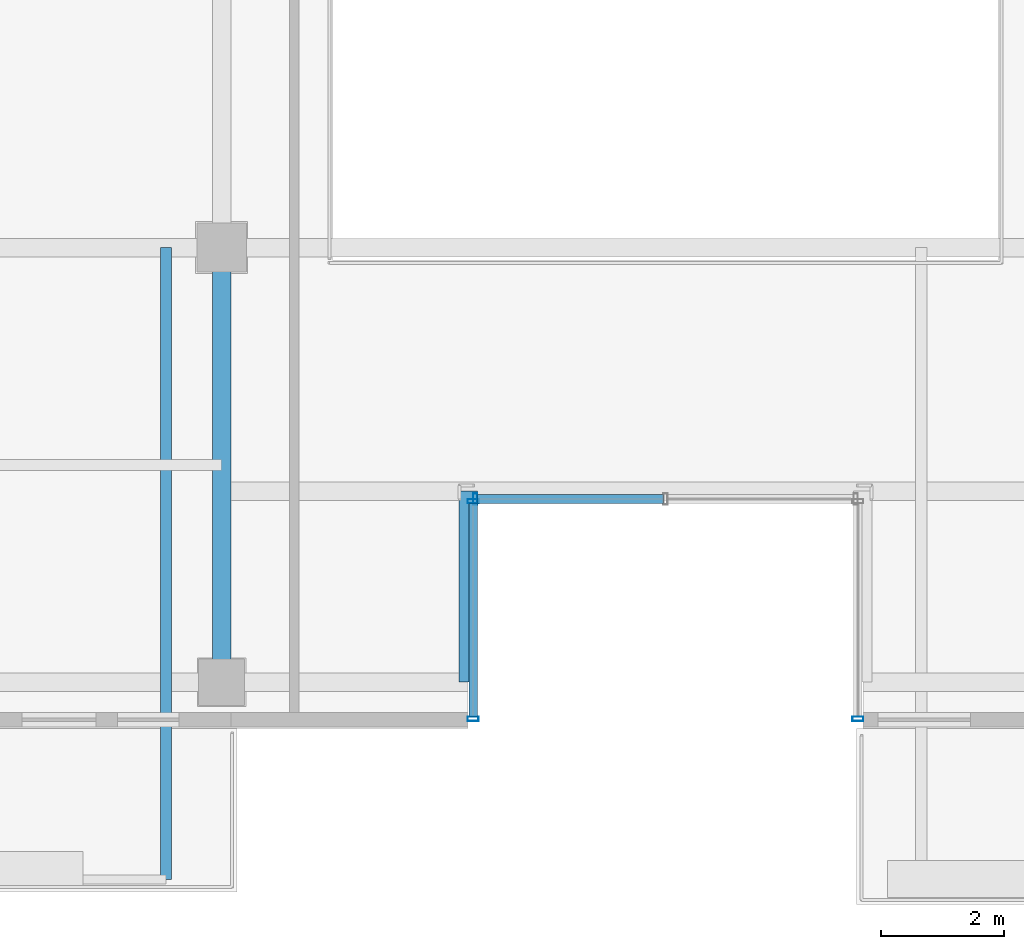
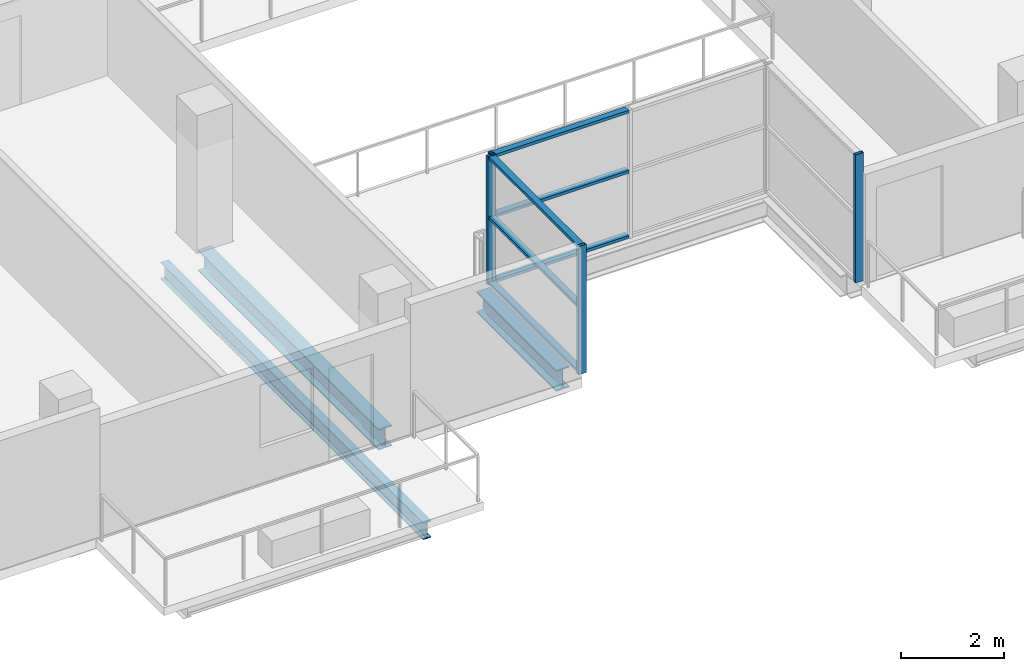
# One storey, part 2 of 23: 10 members, 3 beams, 3 elements without a shape of their own.
"""IFC4 building model written with IfcOpenShell, lengths in metres."""

from ifc_helpers import new_model, si_unit, direction, frame, origin, origin_2d, place, context, subcontext, project, spatial, hollow_rectangle, i_section, extrude, source, transform, mapped, material, layer, layer_set, material_profile, profile_set, type_object, element, aggregate, save


model = new_model("IFC4")

# Units and contexts
model_context = context("Model", 3, precision=1e-05, world=origin(), true_north=direction((0.0, 1.0)))
body_context = subcontext(model_context, "Body", "Model", "MODEL_VIEW")
ifc_project = project(units=[si_unit("LENGTHUNIT", "METRE"), si_unit("AREAUNIT", "SQUARE_METRE"), si_unit("VOLUMEUNIT", "CUBIC_METRE"), si_unit("PLANEANGLEUNIT", "RADIAN"), si_unit("MASSUNIT", "GRAM", prefix="KILO")], contexts=[model_context])

# Site, building, storey
site_placement = place(None, origin())
site = spatial("IfcSite", under=ifc_project, at=site_placement, CompositionType="ELEMENT")
building_placement = place(site_placement, origin())
building = spatial("IfcBuilding", under=site, at=building_placement, Name="Zarnakvel Exchange Tower", CompositionType="ELEMENT")
storey_placement = place(building_placement, frame((0.0, 0.0, 172.60009765625)))
storey = spatial("IfcBuildingStorey", under=building, at=storey_placement, Name="L48", CompositionType="ELEMENT", Elevation=172.60009765625)

# Beams
ifc_material_1 = material(Name="Steel S355", Category="steel")
ifc_material_profile_1 = material_profile(ifc_material_1, i_section(OverallWidth=0.179931640625, OverallDepth=0.39990234375, WebThickness=0.008544921875, FlangeThickness=0.013427734375, FilletRadius=0.02099609375, at=origin_2d()))
ifc_profile_set_1 = profile_set([ifc_material_profile_1], Name="Steel S355")
beam_type_1 = type_object("IfcBeamType", Name="B-06", PredefinedType="JOIST", material=ifc_profile_set_1)
beam_1_placement = place(storey_placement, frame((-8.10009765625, -9.60009765625, -0.425048828125), z_axis=(0.0, -1.0, 0.0), x_axis=(1.0, 0.0, 0.0)))
element("IfcBeam", 1, at=beam_1_placement, inside=storey, type_object=beam_type_1, Name="L48 Continuous Back-Spanned Balcony Beam E", PredefinedType="JOIST", context=body_context, shape_type="SweptSolid", body=[
    extrude(i_section(OverallWidth=0.179931640625, OverallDepth=0.39990234375, WebThickness=0.008544921875, FlangeThickness=0.013427734375, FilletRadius=0.02099609375, at=origin_2d()), origin(), (0.0, 0.0, 1.0), 10.25),
])
ifc_material_profile_2 = material_profile(ifc_material_1, i_section(OverallWidth=0.300048828125, OverallDepth=0.5, WebThickness=0.014404296875, FlangeThickness=0.028076171875, FilletRadius=0.027099609375, at=origin_2d()))
ifc_profile_set_2 = profile_set([ifc_material_profile_2], Name="Steel S355")
beam_type_2 = type_object("IfcBeamType", Name="G-06", PredefinedType="BEAM", material=ifc_profile_set_2)
beam_2_placement = place(storey_placement, frame((-3.199951171875, -16.64990234375, -0.47509765625), z_axis=(0.0, 1.0, 0.0), x_axis=(-1.0, 0.0, 0.0)))
element("IfcBeam", 2, at=beam_2_placement, inside=storey, type_object=beam_type_2, Name="L48 South Slot West Cheek Beam", PredefinedType="BEAM", context=body_context, shape_type="SweptSolid", body=[
    extrude(i_section(OverallWidth=0.300048828125, OverallDepth=0.5, WebThickness=0.014404296875, FlangeThickness=0.028076171875, FilletRadius=0.027099609375, at=origin_2d()), origin(), (0.0, 0.0, 1.0), 3.099853515625),
])
beam_3_placement = place(storey_placement, frame((-7.199951171875, -16.64990234375, -0.47509765625), z_axis=(0.0, 1.0, 0.0), x_axis=(-1.0, 0.0, 0.0)))
element("IfcBeam", 3, at=beam_3_placement, inside=storey, type_object=beam_type_2, Name="L48 Tower N-S Frame Beam", PredefinedType="BEAM", context=body_context, shape_type="SweptSolid", body=[
    extrude(i_section(OverallWidth=0.300048828125, OverallDepth=0.5, WebThickness=0.014404296875, FlangeThickness=0.028076171875, FilletRadius=0.027099609375, at=origin_2d()), origin(), (0.0, 0.0, 1.0), 7.0498046875),
])

# Curtain wall, members
ifc_material_2 = material(Name="Architectural Bronze Anodised Aluminium", Category="aluminium")
ifc_layer = layer(ifc_material_2, 0.179931640625)
ifc_layer_set = layer_set([ifc_layer], Name="Architectural Bronze Anodised Aluminium")
curtain_wall_type = type_object("IfcCurtainWallType", Name="CW-05", PredefinedType="NOTDEFINED", material=ifc_layer_set)
curtain_wall_1_placement = place(storey_placement, origin())
curtain_wall_1 = element("IfcCurtainWall", 4, at=curtain_wall_1_placement, inside=storey, type_object=curtain_wall_type, Name="L48 Curtain Wall CW-L48-SLW (CW-05)", PredefinedType="NOTDEFINED")
ifc_material_profile_3 = material_profile(ifc_material_2, hollow_rectangle(XDim=0.139892578125, YDim=0.070068359375, WallThickness=0.00390625, at=origin_2d()))
ifc_profile_set_3 = profile_set([ifc_material_profile_3], Name="Architectural Bronze Anodised Aluminium")
member_type_1 = type_object("IfcMemberType", Name="CWT-05", PredefinedType="USERDEFINED", material=ifc_profile_set_3)
shared_shape_1 = source(origin(), body_context, "Body", "SweptSolid", [
    extrude(hollow_rectangle(XDim=0.139892578125, YDim=0.070068359375, WallThickness=0.00390625, at=origin_2d()), origin(), (0.0, 0.0, 1.0), 3.4599609375),
])
member_1_placement = place(storey_placement, frame((-3.1201171875, -17.2099609375, 0.034912109375), z_axis=(0.0, 1.0, 0.0), x_axis=(-1.0, 0.0, 0.0)))
member_1 = element("IfcMember", 5, at=member_1_placement, type_object=member_type_1, Name="CW-05 transom 1.1", ObjectType="TRANSOM", PredefinedType="USERDEFINED", context=body_context, shape_type="MappedRepresentation", body=[
    mapped(shared_shape_1, transform((0.0, 0.0, 0.0), x_axis=(1.0, 0.0, 0.0), y_axis=(0.0, 1.0, 0.0), z_axis=(0.0, 0.0, 1.0), scale=1.0)),
])
member_2_placement = place(storey_placement, frame((-3.1201171875, -17.2099609375, 1.588623046875), z_axis=(0.0, 1.0, 0.0), x_axis=(-1.0, 0.0, 0.0)))
member_2 = element("IfcMember", 6, at=member_2_placement, type_object=member_type_1, Name="CW-05 transom 1.2", ObjectType="TRANSOM", PredefinedType="USERDEFINED", context=body_context, shape_type="MappedRepresentation", body=[
    mapped(shared_shape_1, transform((0.0, 0.0, 0.0), x_axis=(1.0, 0.0, 0.0), y_axis=(0.0, 1.0, 0.0), z_axis=(0.0, 0.0, 1.0), scale=1.0)),
])
member_3_placement = place(storey_placement, frame((-3.1201171875, -17.2099609375, 3.02001953125), z_axis=(0.0, 1.0, 0.0), x_axis=(-1.0, 0.0, 0.0)))
member_3 = element("IfcMember", 7, at=member_3_placement, type_object=member_type_1, Name="CW-05 transom 1.3", ObjectType="TRANSOM", PredefinedType="USERDEFINED", context=body_context, shape_type="MappedRepresentation", body=[
    mapped(shared_shape_1, transform((0.0, 0.0, 0.0), x_axis=(1.0, 0.0, 0.0), y_axis=(0.0, 1.0, 0.0), z_axis=(0.0, 0.0, 1.0), scale=1.0)),
])

curtain_wall_2_placement = place(storey_placement, origin())
curtain_wall_2 = element("IfcCurtainWall", 8, at=curtain_wall_2_placement, inside=storey, type_object=curtain_wall_type, Name="L48 Curtain Wall CW-L48-SLB (CW-05)", PredefinedType="NOTDEFINED")
shared_shape_2 = source(origin(), body_context, "Body", "SweptSolid", [
    extrude(hollow_rectangle(XDim=0.139892578125, YDim=0.070068359375, WallThickness=0.00390625, at=origin_2d()), origin(), (0.0, 0.0, 1.0), 3.01513671875),
])
member_4_placement = place(storey_placement, frame((-3.050048828125, -13.679931640625, 0.034912109375), z_axis=(1.0, 0.0, 0.0), x_axis=(0.0, 1.0, 0.0)))
member_4 = element("IfcMember", 9, at=member_4_placement, type_object=member_type_1, Name="CW-05 transom 1.1", ObjectType="TRANSOM", PredefinedType="USERDEFINED", context=body_context, shape_type="MappedRepresentation", body=[
    mapped(shared_shape_2, transform((0.0, 0.0, 0.0), x_axis=(1.0, 0.0, 0.0), y_axis=(0.0, 1.0, 0.0), z_axis=(0.0, 0.0, 1.0), scale=1.0)),
])
member_5_placement = place(storey_placement, frame((-3.050048828125, -13.679931640625, 1.588623046875), z_axis=(1.0, 0.0, 0.0), x_axis=(0.0, 1.0, 0.0)))
member_5 = element("IfcMember", 10, at=member_5_placement, type_object=member_type_1, Name="CW-05 transom 1.2", ObjectType="TRANSOM", PredefinedType="USERDEFINED", context=body_context, shape_type="MappedRepresentation", body=[
    mapped(shared_shape_2, transform((0.0, 0.0, 0.0), x_axis=(1.0, 0.0, 0.0), y_axis=(0.0, 1.0, 0.0), z_axis=(0.0, 0.0, 1.0), scale=1.0)),
])
member_6_placement = place(storey_placement, frame((-3.050048828125, -13.679931640625, 3.02001953125), z_axis=(1.0, 0.0, 0.0), x_axis=(0.0, 1.0, 0.0)))
member_6 = element("IfcMember", 11, at=member_6_placement, type_object=member_type_1, Name="CW-05 transom 1.3", ObjectType="TRANSOM", PredefinedType="USERDEFINED", context=body_context, shape_type="MappedRepresentation", body=[
    mapped(shared_shape_2, transform((0.0, 0.0, 0.0), x_axis=(1.0, 0.0, 0.0), y_axis=(0.0, 1.0, 0.0), z_axis=(0.0, 0.0, 1.0), scale=1.0)),
])

# Member
ifc_material_profile_4 = material_profile(ifc_material_2, hollow_rectangle(XDim=0.179931640625, YDim=0.070068359375, WallThickness=0.00390625, at=origin_2d()))
ifc_profile_set_4 = profile_set([ifc_material_profile_4], Name="Architectural Bronze Anodised Aluminium")
member_type_2 = type_object("IfcMemberType", Name="CWM-05", PredefinedType="MULLION", material=ifc_profile_set_4)
shared_shape_3 = source(origin(), body_context, "Body", "SweptSolid", [
    extrude(hollow_rectangle(XDim=0.179931640625, YDim=0.070068359375, WallThickness=0.00390625, at=origin_2d()), origin(), (0.0, 0.0, 1.0), 3.054931640625),
])
member_7_placement = place(storey_placement, frame((-3.1201171875, -17.2451171875, 0.0), z_axis=(0.0, 0.0, 1.0), x_axis=(-1.0, 0.0, 0.0)))
member_7 = element("IfcMember", 12, at=member_7_placement, type_object=member_type_2, Name="CW-05 mullion 1", PredefinedType="MULLION", context=body_context, shape_type="MappedRepresentation", body=[
    mapped(shared_shape_3, transform((0.0, 0.0, 0.0), x_axis=(1.0, 0.0, 0.0), y_axis=(0.0, 1.0, 0.0), z_axis=(0.0, 0.0, 1.0), scale=1.0)),
])

member_8_placement = place(storey_placement, frame((-3.1201171875, -13.715087890625, 0.0), z_axis=(0.0, 0.0, 1.0), x_axis=(-1.0, 0.0, 0.0)))
member_8 = element("IfcMember", 13, at=member_8_placement, type_object=member_type_2, Name="CW-05 mullion 2", PredefinedType="MULLION", context=body_context, shape_type="MappedRepresentation", body=[
    mapped(shared_shape_3, transform((0.0, 0.0, 0.0), x_axis=(1.0, 0.0, 0.0), y_axis=(0.0, 1.0, 0.0), z_axis=(0.0, 0.0, 1.0), scale=1.0)),
])

aggregate(curtain_wall_1, [member_7, member_8, member_1, member_2, member_3])

member_9_placement = place(storey_placement, frame((-3.0849609375, -13.679931640625, 0.0), z_axis=(0.0, 0.0, 1.0), x_axis=(0.0, 1.0, 0.0)))
member_9 = element("IfcMember", 14, at=member_9_placement, type_object=member_type_2, Name="CW-05 mullion 1", PredefinedType="MULLION", context=body_context, shape_type="MappedRepresentation", body=[
    mapped(shared_shape_3, transform((0.0, 0.0, 0.0), x_axis=(1.0, 0.0, 0.0), y_axis=(0.0, 1.0, 0.0), z_axis=(0.0, 0.0, 1.0), scale=1.0)),
])

aggregate(curtain_wall_2, [member_9, member_4, member_5, member_6])

# Curtain wall, member
curtain_wall_3_placement = place(storey_placement, origin())
curtain_wall_3 = element("IfcCurtainWall", 15, at=curtain_wall_3_placement, inside=storey, type_object=curtain_wall_type, Name="L48 Curtain Wall CW-L48-SLE (CW-05)", PredefinedType="NOTDEFINED")
member_10_placement = place(storey_placement, frame((3.1201171875, -17.2451171875, 0.0), z_axis=(0.0, 0.0, 1.0), x_axis=(1.0, 0.0, 0.0)))
member_10 = element("IfcMember", 16, at=member_10_placement, type_object=member_type_2, Name="CW-05 mullion 2", PredefinedType="MULLION", context=body_context, shape_type="MappedRepresentation", body=[
    mapped(shared_shape_3, transform((0.0, 0.0, 0.0), x_axis=(1.0, 0.0, 0.0), y_axis=(0.0, 1.0, 0.0), z_axis=(0.0, 0.0, 1.0), scale=1.0)),
])
aggregate(curtain_wall_3, [member_10])

save(model, "model.ifc")
